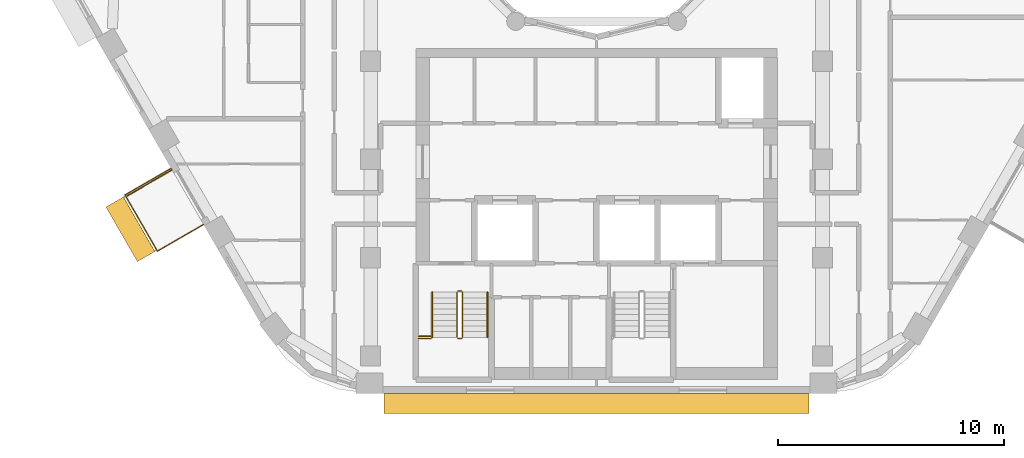
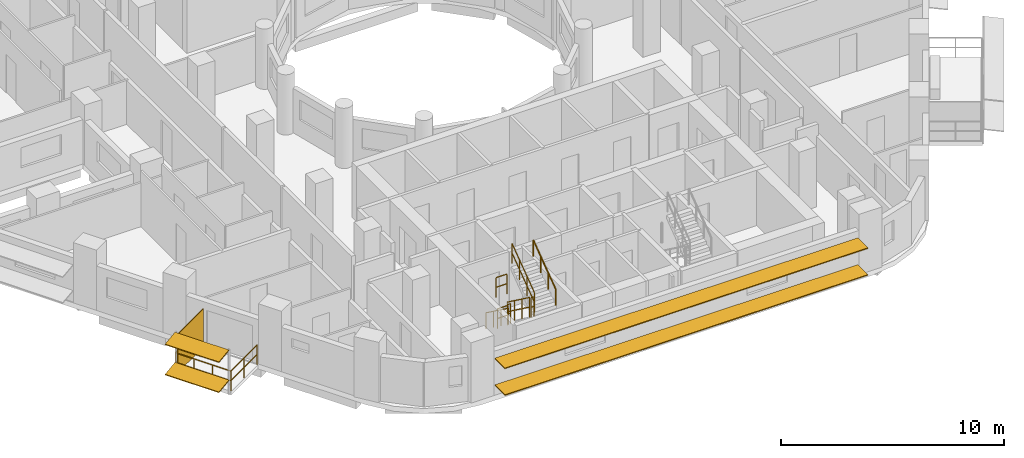
# One storey, part 14 of 17: 9 railings, 5 shading devices.
"""IFC4 building model written with IfcOpenShell, lengths in metres."""

from ifc_helpers import new_model, si_unit, direction, frame, origin, origin_2d, place, context, subcontext, project, spatial, rectangle, circle, extrude, material, layer, layer_set, material_profile, profile_set, type_object, element, save


model = new_model("IFC4")

# Units and contexts
model_context = context("Model", 3, precision=1e-05, world=origin(), true_north=direction((0.0, 1.0)))
body_context = subcontext(model_context, "Body", "Model", "MODEL_VIEW")
ifc_project = project(units=[si_unit("LENGTHUNIT", "METRE"), si_unit("AREAUNIT", "SQUARE_METRE"), si_unit("VOLUMEUNIT", "CUBIC_METRE"), si_unit("PLANEANGLEUNIT", "RADIAN"), si_unit("MASSUNIT", "GRAM", prefix="KILO")], contexts=[model_context])

# Site, building, storey
site_placement = place(None, origin())
site = spatial("IfcSite", under=ifc_project, at=site_placement, CompositionType="ELEMENT")
building_placement = place(site_placement, origin())
building = spatial("IfcBuilding", under=site, at=building_placement, Name="Nakaniwa Court", CompositionType="ELEMENT")
storey_placement = place(building_placement, frame((0.0, 0.0, 209.699951171875)))
storey = spatial("IfcBuildingStorey", under=building, at=storey_placement, Name="L55", CompositionType="ELEMENT", Elevation=209.699951171875)

# Railing
ifc_material_1 = material(Name="Black powder-coated steel flat bar balustrade S275", Category="steel")
railing_type_1 = type_object("IfcRailingType", Name="Black metal balcony guard 1100", PredefinedType="GUARDRAIL", material=ifc_material_1)
railing_1_placement = place(storey_placement, frame((61.17529296875, 67.305419921875, -0.050048828125)))
element("IfcRailing", 1, at=railing_1_placement, inside=storey, type_object=railing_type_1, Name="L55 balcony guard 02", PredefinedType="GUARDRAIL", context=body_context, shape_type="SweptSolid", body=[
    extrude(circle(Radius=0.02392578125, at=origin_2d()), frame((0.0, 0.0, 1.076171875), z_axis=(-0.866025363618, -0.50000006957, 0.0), x_axis=(0.50000006957, -0.866025363618, 0.0)), (0.0, 0.0, 1.0), 2.35986328125),
    extrude(circle(Radius=0.02392578125, at=origin_2d()), frame((0.0, 0.0, 0.550048828125), z_axis=(-0.866025363618, -0.50000006957, 0.0), x_axis=(0.50000006957, -0.866025363618, 0.0)), (0.0, 0.0, 1.0), 2.35986328125),
    extrude(circle(Radius=0.02392578125, at=origin_2d()), frame((-2.043701171875, -1.179931640625, 1.076171875), z_axis=(0.499975463599, -0.866039569419, 0.0), x_axis=(0.866039569419, 0.499975463599, 0.0)), (0.0, 0.0, 1.0), 2.867919921875),
    extrude(circle(Radius=0.02392578125, at=origin_2d()), frame((-2.043701171875, -1.179931640625, 0.550048828125), z_axis=(0.499975463599, -0.866039569419, 0.0), x_axis=(0.866039569419, 0.499975463599, 0.0)), (0.0, 0.0, 1.0), 2.867919921875),
    extrude(circle(Radius=0.02392578125, at=origin_2d()), frame((-0.60986328125, -3.66357421875, 1.076171875), z_axis=(0.865980564943, 0.500077655111, 0.0), x_axis=(-0.500077655111, 0.865980564943, 0.0)), (0.0, 0.0, 1.0), 2.35986328125),
    extrude(circle(Radius=0.02392578125, at=origin_2d()), frame((-0.60986328125, -3.66357421875, 0.550048828125), z_axis=(0.865980564943, 0.500077655111, 0.0), x_axis=(-0.500077655111, 0.865980564943, 0.0)), (0.0, 0.0, 1.0), 2.35986328125),
    extrude(circle(Radius=0.02099609375, at=origin_2d()), origin(), (0.0, 0.0, 1.0), 1.052001953125),
    extrude(circle(Radius=0.02099609375, at=origin_2d()), frame((-1.02197265625, -0.58984375, 0.0)), (0.0, 0.0, 1.0), 1.052001953125),
    extrude(circle(Radius=0.02099609375, at=origin_2d()), frame((-2.043701171875, -1.179931640625, 0.0)), (0.0, 0.0, 1.0), 1.052001953125),
    extrude(circle(Radius=0.02099609375, at=origin_2d()), frame((-1.565673828125, -2.0078125, 0.0)), (0.0, 0.0, 1.0), 1.052001953125),
    extrude(circle(Radius=0.02099609375, at=origin_2d()), frame((-1.087890625, -2.835693359375, 0.0)), (0.0, 0.0, 1.0), 1.052001953125),
    extrude(circle(Radius=0.02099609375, at=origin_2d()), frame((-0.60986328125, -3.66357421875, 0.0)), (0.0, 0.0, 1.0), 1.052001953125),
    extrude(circle(Radius=0.02099609375, at=origin_2d()), frame((0.412109375, -3.073486328125, 0.0)), (0.0, 0.0, 1.0), 1.052001953125),
    extrude(circle(Radius=0.02099609375, at=origin_2d()), frame((1.433837890625, -2.4833984375, 0.0)), (0.0, 0.0, 1.0), 1.052001953125),
])

# Shading devices
ifc_material_2 = material(Name="Black powder-coated aluminium slat screen", Category="aluminium")
ifc_layer = layer(ifc_material_2, 0.0400390625)
ifc_layer_set = layer_set([ifc_layer], Name="Black powder-coated aluminium slat screen")
shading_device_type_1 = type_object("IfcShadingDeviceType", Name="Koshi screen black metal", PredefinedType="USERDEFINED", material=ifc_layer_set)
shading_device_placement = place(storey_placement, frame((60.215087890625, 66.65869140625, -0.050048828125), z_axis=(0.0, 0.0, 1.0), x_axis=(0.500016626402, -0.866015804314, 0.0)))
element("IfcShadingDevice", 2, at=shading_device_placement, inside=storey, type_object=shading_device_type_1, Name="L55 balcony SCREEN 02 W", ObjectType="KOSHI SCREEN", PredefinedType="USERDEFINED", context=body_context, shape_type="SweptSolid", body=[
    extrude(rectangle(XDim=0.0400390625, YDim=2.31005859375, at=origin_2d()), origin(), (0.0, 0.0, 1.0), 2.10009765625),
])
ifc_material_3 = material(Name="Perforated charcoal ceramic louvre blade")
ifc_material_profile = material_profile(ifc_material_3, rectangle(XDim=0.89990234375, YDim=0.050048828125, at=origin_2d()), Name="Perforated ceramic louvre blade")
ifc_profile_set = profile_set([ifc_material_profile], Name="Perforated charcoal ceramic louvre blade")
shading_device_type_2 = type_object("IfcShadingDeviceType", Name="Perforated ceramic louvre blade", PredefinedType="JALOUSIE", material=ifc_profile_set)
for number, where, z_axis, x_axis, name in (
    (3, (58.67578125, 65.81591796875, 0.5), (0.500010545262, -0.866019315389, 0.0), (0.858610400093, 0.495732885733, 0.13052619222), "L55 perforated ceramic louvre blade 02 1"),
    (4, (58.67578125, 65.81591796875, 2.150146484375), (0.500010545262, -0.866019315389, 0.0), (0.858610400093, 0.495732885733, 0.13052619222), "L55 perforated ceramic louvre blade 02 2"),
):
    element("IfcShadingDevice", number, at=place(storey_placement, frame(where, z_axis=z_axis, x_axis=x_axis)), inside=storey, type_object=shading_device_type_2, Name=name, PredefinedType="JALOUSIE", context=body_context, shape_type="SweptSolid", body=[
        extrude(rectangle(XDim=0.89990234375, YDim=0.050048828125, at=origin_2d()), origin(), (0.0, 0.0, 1.0), 2.78759765625),
    ])
for number, where, z_axis, x_axis, name in (
    (5, (70.6005859375, 56.89990234375, 0.550048828125), (1.0, 0.0, 0.0), (0.0, 1.0, 0.0), "L55 perforated ceramic louvre blade w26 1"),
    (6, (70.6005859375, 56.89990234375, 2.01513671875), (1.0, 0.0, 0.0), (0.0, 1.0, 0.0), "L55 perforated ceramic louvre blade w26 2"),
):
    element("IfcShadingDevice", number, at=place(storey_placement, frame(where, z_axis=z_axis, x_axis=x_axis)), inside=storey, type_object=shading_device_type_2, Name=name, PredefinedType="JALOUSIE", context=body_context, shape_type="SweptSolid", body=[
        extrude(rectangle(XDim=0.89990234375, YDim=0.050048828125, at=origin_2d()), origin(), (0.0, 0.0, 1.0), 18.79296875),
    ])

# Railings
ifc_material_4 = material(Name="Black powder coated steel guard", Category="steel")
railing_type_2 = type_object("IfcRailingType", Name="Stair guard 1100", PredefinedType="GUARDRAIL", material=ifc_material_4)
railing_2_placement = place(storey_placement, frame((73.824951171875, 61.824951171875, 0.183349609375)))
element("IfcRailing", 7, at=railing_2_placement, inside=storey, type_object=railing_type_2, Name="L55 ST3 stair guard 1", PredefinedType="GUARDRAIL", context=body_context, shape_type="SweptSolid", body=[
    extrude(circle(Radius=0.02392578125, at=origin_2d()), frame((0.0, 0.0, 1.076171875), z_axis=(0.0, -0.806379959628, 0.591397802423), x_axis=(1.0, 0.0, 0.0)), (0.0, 0.0, 1.0), 2.480224609375),
    extrude(circle(Radius=0.02392578125, at=origin_2d()), frame((0.0, 0.0, 0.550048828125), z_axis=(0.0, -0.806379959628, 0.591397802423), x_axis=(1.0, 0.0, 0.0)), (0.0, 0.0, 1.0), 2.480224609375),
    extrude(circle(Radius=0.02099609375, at=origin_2d()), origin(), (0.0, 0.0, 1.0), 1.052001953125),
    extrude(circle(Radius=0.02099609375, at=origin_2d()), frame((0.0, -0.666748046875, 0.489013671875)), (0.0, 0.0, 1.0), 1.052001953125),
    extrude(circle(Radius=0.02099609375, at=origin_2d()), frame((0.0, -1.333251953125, 0.977783203125)), (0.0, 0.0, 1.0), 1.052001953125),
    extrude(circle(Radius=0.02099609375, at=origin_2d()), frame((0.0, -2.0, 1.466796875)), (0.0, 0.0, 1.0), 1.052001953125),
])
railing_3_placement = place(storey_placement, frame((73.875, 59.77490234375, 1.650146484375)))
element("IfcRailing", 8, at=railing_3_placement, inside=storey, type_object=railing_type_2, Name="L55 ST3 stair guard 2", PredefinedType="GUARDRAIL", context=body_context, shape_type="SweptSolid", body=[
    extrude(circle(Radius=0.02392578125, at=origin_2d()), frame((0.0, 0.0, 1.076171875), z_axis=(1.0, 0.0, 0.0), x_axis=(0.0, 1.0, 0.0)), (0.0, 0.0, 1.0), 0.14990234375),
    extrude(circle(Radius=0.02392578125, at=origin_2d()), frame((0.0, 0.0, 0.550048828125), z_axis=(1.0, 0.0, 0.0), x_axis=(0.0, 1.0, 0.0)), (0.0, 0.0, 1.0), 0.14990234375),
    extrude(circle(Radius=0.02099609375, at=origin_2d()), origin(), (0.0, 0.0, 1.0), 1.052001953125),
    extrude(circle(Radius=0.02099609375, at=origin_2d()), frame((0.14990234375, 0.0, 0.0)), (0.0, 0.0, 1.0), 1.052001953125),
])
railing_4_placement = place(storey_placement, frame((74.074951171875, 59.824951171875, 1.83349609375)))
element("IfcRailing", 9, at=railing_4_placement, inside=storey, type_object=railing_type_2, Name="L55 ST3 stair guard 3", PredefinedType="GUARDRAIL", context=body_context, shape_type="SweptSolid", body=[
    extrude(circle(Radius=0.02392578125, at=origin_2d()), frame((0.0, 0.0, 1.076171875), z_axis=(0.0, 0.806426902644, 0.591333789573), x_axis=(-1.0, 0.0, 0.0)), (0.0, 0.0, 1.0), 2.47998046875),
    extrude(circle(Radius=0.02392578125, at=origin_2d()), frame((0.0, 0.0, 0.550048828125), z_axis=(0.0, 0.806426902644, 0.591333789573), x_axis=(-1.0, 0.0, 0.0)), (0.0, 0.0, 1.0), 2.47998046875),
    extrude(circle(Radius=0.02099609375, at=origin_2d()), origin(), (0.0, 0.0, 1.0), 1.052001953125),
    extrude(circle(Radius=0.02099609375, at=origin_2d()), frame((0.0, 0.666748046875, 0.48876953125)), (0.0, 0.0, 1.0), 1.052001953125),
    extrude(circle(Radius=0.02099609375, at=origin_2d()), frame((0.0, 1.333251953125, 0.977783203125)), (0.0, 0.0, 1.0), 1.052001953125),
    extrude(circle(Radius=0.02099609375, at=origin_2d()), frame((0.0, 2.0, 1.466552734375)), (0.0, 0.0, 1.0), 1.052001953125),
])
railing_5_placement = place(storey_placement, frame((73.875, 61.875, 0.0)))
element("IfcRailing", 10, at=railing_5_placement, inside=storey, type_object=railing_type_2, Name="L55 ST3 stair guard 4", PredefinedType="GUARDRAIL", context=body_context, shape_type="SweptSolid", body=[
    extrude(circle(Radius=0.02392578125, at=origin_2d()), frame((0.0, 0.0, 1.076171875), z_axis=(1.0, 0.0, 0.0), x_axis=(0.0, 1.0, 0.0)), (0.0, 0.0, 1.0), 0.14990234375),
    extrude(circle(Radius=0.02392578125, at=origin_2d()), frame((0.0, 0.0, 0.550048828125), z_axis=(1.0, 0.0, 0.0), x_axis=(0.0, 1.0, 0.0)), (0.0, 0.0, 1.0), 0.14990234375),
    extrude(circle(Radius=0.02099609375, at=origin_2d()), origin(), (0.0, 0.0, 1.0), 1.052001953125),
    extrude(circle(Radius=0.02099609375, at=origin_2d()), frame((0.14990234375, 0.0, 0.0)), (0.0, 0.0, 1.0), 1.052001953125),
])
for number, where, name in (
    (11, (72.125, 59.77490234375, 1.650146484375), "L55 ST3 landing side guard 1W"),
    (12, (72.125, 59.875, 3.300048828125), "L55 ST3 floor edge guard 1W"),
):
    element("IfcRailing", number, at=place(storey_placement, frame(where)), inside=storey, type_object=railing_type_2, Name=name, PredefinedType="GUARDRAIL", context=body_context, shape_type="SweptSolid", body=[
        extrude(circle(Radius=0.02392578125, at=origin_2d()), frame((0.0, 0.0, 1.076171875), z_axis=(1.0, 0.0, 0.0), x_axis=(0.0, 1.0, 0.0)), (0.0, 0.0, 1.0), 0.550048828125),
        extrude(circle(Radius=0.02392578125, at=origin_2d()), frame((0.0, 0.0, 0.550048828125), z_axis=(1.0, 0.0, 0.0), x_axis=(0.0, 1.0, 0.0)), (0.0, 0.0, 1.0), 0.550048828125),
        extrude(circle(Radius=0.02099609375, at=origin_2d()), origin(), (0.0, 0.0, 1.0), 1.052001953125),
        extrude(circle(Radius=0.02099609375, at=origin_2d()), frame((0.550048828125, 0.0, 0.0)), (0.0, 0.0, 1.0), 1.052001953125),
    ])
ifc_material_5 = material(Name="Black powder coated steel handrail", Category="steel")
railing_type_3 = type_object("IfcRailingType", Name="Stair handrail 900", PredefinedType="HANDRAIL", material=ifc_material_5)
railing_6_placement = place(storey_placement, frame((72.72509765625, 61.824951171875, 0.183349609375)))
element("IfcRailing", 13, at=railing_6_placement, inside=storey, type_object=railing_type_3, Name="L55 ST3 stair handrail 1", PredefinedType="HANDRAIL", context=body_context, shape_type="SweptSolid", body=[
    extrude(circle(Radius=0.02392578125, at=origin_2d()), frame((0.0, 0.0, 0.8759765625), z_axis=(0.0, -0.806379959628, 0.591397802423), x_axis=(1.0, 0.0, 0.0)), (0.0, 0.0, 1.0), 2.480224609375),
    extrude(circle(Radius=0.02099609375, at=origin_2d()), origin(), (0.0, 0.0, 1.0), 0.851806640625),
    extrude(circle(Radius=0.02099609375, at=origin_2d()), frame((0.0, -0.666748046875, 0.489013671875)), (0.0, 0.0, 1.0), 0.851806640625),
    extrude(circle(Radius=0.02099609375, at=origin_2d()), frame((0.0, -1.333251953125, 0.977783203125)), (0.0, 0.0, 1.0), 0.851806640625),
    extrude(circle(Radius=0.02099609375, at=origin_2d()), frame((0.0, -2.0, 1.466796875)), (0.0, 0.0, 1.0), 0.851806640625),
])
railing_7_placement = place(storey_placement, frame((75.175048828125, 59.824951171875, 1.83349609375)))
element("IfcRailing", 14, at=railing_7_placement, inside=storey, type_object=railing_type_3, Name="L55 ST3 stair handrail 2", PredefinedType="HANDRAIL", context=body_context, shape_type="SweptSolid", body=[
    extrude(circle(Radius=0.02392578125, at=origin_2d()), frame((0.0, 0.0, 0.8759765625), z_axis=(0.0, 0.806426902644, 0.591333789573), x_axis=(-1.0, 0.0, 0.0)), (0.0, 0.0, 1.0), 2.47998046875),
    extrude(circle(Radius=0.02099609375, at=origin_2d()), origin(), (0.0, 0.0, 1.0), 0.851806640625),
    extrude(circle(Radius=0.02099609375, at=origin_2d()), frame((0.0, 0.666748046875, 0.48876953125)), (0.0, 0.0, 1.0), 0.851806640625),
    extrude(circle(Radius=0.02099609375, at=origin_2d()), frame((0.0, 1.333251953125, 0.977783203125)), (0.0, 0.0, 1.0), 0.851806640625),
    extrude(circle(Radius=0.02099609375, at=origin_2d()), frame((0.0, 2.0, 1.466552734375)), (0.0, 0.0, 1.0), 0.851806640625),
])

save(model, "model.ifc")
